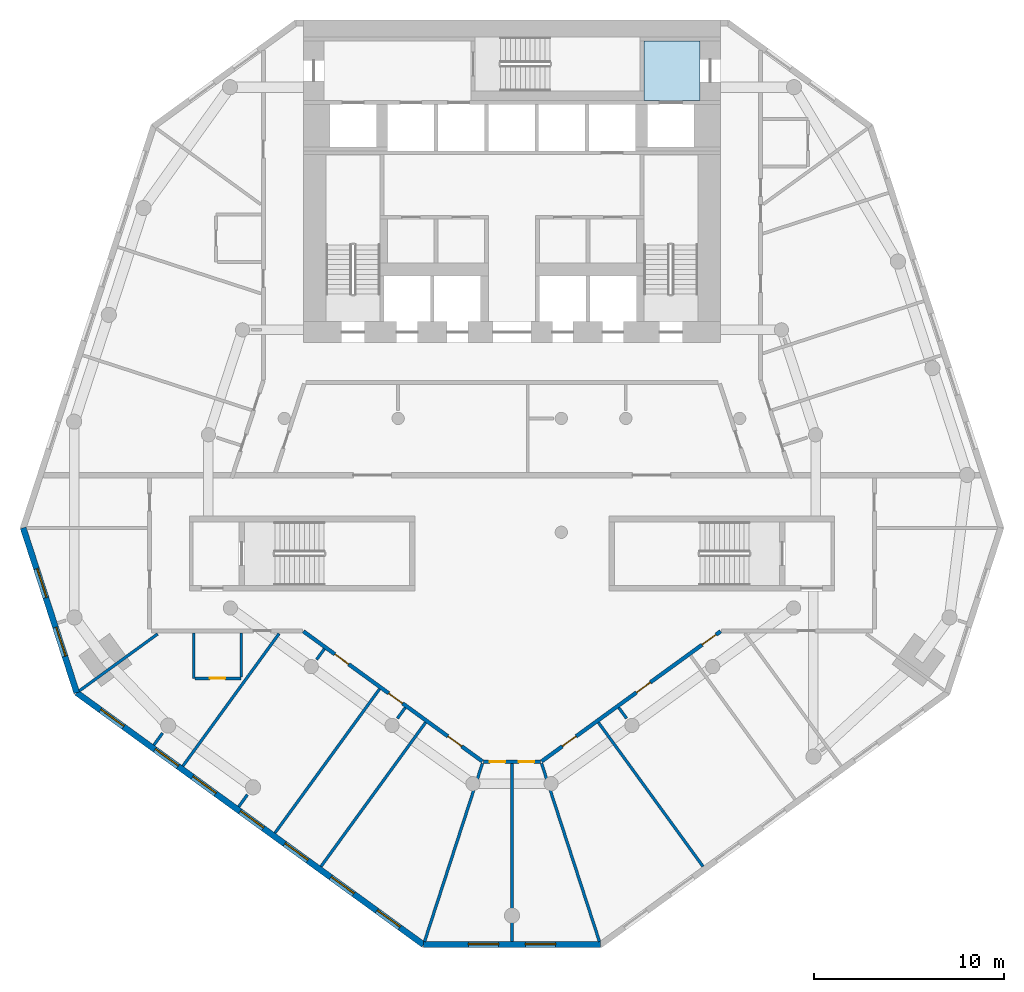
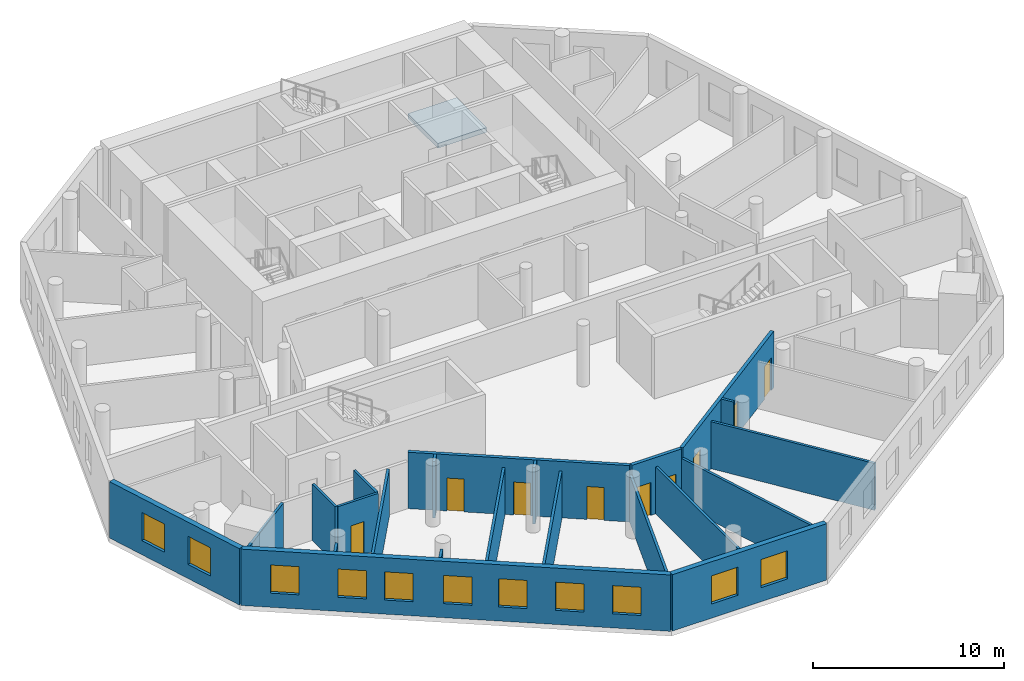
# One storey, part 2 of 9: 22 walls, 11 windows, 9 doors, 1 slab, 20 openings.
"""IFC4 building model written with IfcOpenShell, lengths in metres."""

from ifc_helpers import new_model, si_unit, direction, frame, frame_2d, origin, place, context, subcontext, project, spatial, polyline, rectangle, outline, extrude, material, layer, layer_set, type_object, element, fill, save


model = new_model("IFC4")

# Units and contexts
model_context = context("Model", 3, precision=1e-05, world=origin(), true_north=direction((0.0, 1.0)))
body_context = subcontext(model_context, "Body", "Model", "MODEL_VIEW")
ifc_project = project(units=[si_unit("LENGTHUNIT", "METRE"), si_unit("AREAUNIT", "SQUARE_METRE"), si_unit("VOLUMEUNIT", "CUBIC_METRE"), si_unit("PLANEANGLEUNIT", "RADIAN"), si_unit("MASSUNIT", "GRAM", prefix="KILO")], contexts=[model_context])

# Site, building, storey
site_placement = place(None, origin())
site = spatial("IfcSite", under=ifc_project, at=site_placement, CompositionType="ELEMENT")
building_placement = place(site_placement, origin())
building = spatial("IfcBuilding", under=site, at=building_placement, Name="White Candle Pilgrim Tower", CompositionType="ELEMENT")
storey_placement = place(building_placement, frame((0.0, 0.0, 94.699951171875)))
storey = spatial("IfcBuildingStorey", under=building, at=storey_placement, Name="L20", CompositionType="ELEMENT", Elevation=94.699951171875)

# Slab
ifc_material_1 = material(Name="Concrete C40/50", Category="concrete")
ifc_layer_1 = layer(ifc_material_1, 0.300048828125)
ifc_layer_set_1 = layer_set([ifc_layer_1], Name="Core floor slab 300 mm Concrete C40/50")
slab_type = type_object("IfcSlabType", Name="Core floor slab 300 mm Concrete C40/50", PredefinedType="FLOOR", material=ifc_layer_set_1)
slab_placement = place(storey_placement, frame((0.0, 0.0, -0.300048828125)))
element("IfcSlab", 1, at=slab_placement, inside=storey, type_object=slab_type, Name="CF-L20-06", PredefinedType="FLOOR", context=body_context, shape_type="SweptSolid", body=[
    extrude(outline(polyline([(79.89990234375, 86.89990234375), (79.89990234375, 83.75), (76.949951171875, 83.75), (76.949951171875, 84.25), (76.949951171875, 86.89990234375), (79.89990234375, 86.89990234375)])), origin(), (0.0, 0.0, 1.0), 0.300048828125),
])

# Wall, openings, doors
ifc_material_2 = material(Name="Gypsum board on steel studs", Category="steel")
ifc_layer_2 = layer(ifc_material_2, 0.199951171875)
ifc_layer_set_2 = layer_set([ifc_layer_2], Name="Corridor wall 200 mm EI 45")
wall_type_1 = type_object("IfcWallType", Name="Corridor wall 200 mm EI 45", PredefinedType="PARTITIONING", material=ifc_layer_set_2)
wall_1_placement = place(storey_placement, frame((80.9951171875, 55.781005859375, 0.0), z_axis=(0.0, 0.0, 1.0), x_axis=(-0.809008378027, -0.587797111495, 0.0)))
wall_1 = element("IfcWall", 2, at=wall_1_placement, inside=storey, type_object=wall_type_1, Name="WL-L20-P008", PredefinedType="PARTITIONING", context=body_context, shape_type="SweptSolid", body=[
    extrude(rectangle(XDim=11.666748046875, YDim=0.199951171875, at=frame_2d((5.83349609375, 0.0))), origin(), (0.0, 0.0, 1.0), 3.60009765625),
])
opening_1_placement = place(wall_1_placement, frame((9.41748046875, 0.0, 0.0)))
opening_1 = element("IfcOpeningElement", 3, at=opening_1_placement, cuts=wall_1, Name="Opening T06-110", PredefinedType="OPENING", context=body_context, shape_type="SweptSolid", body=[
    extrude(rectangle(XDim=0.89990234375, YDim=2.10009765625, at=frame_2d((0.449951171875, 1.050048828125))), frame((0.0, 0.10986328125, 0.0), z_axis=(0.0, -1.0, 0.0), x_axis=(1.0, 0.0, 0.0)), (0.0, 0.0, 1.0), 0.219970703125),
])
opening_2_placement = place(wall_1_placement, frame((4.58544921875, 0.0, 0.0)))
opening_2 = element("IfcOpeningElement", 4, at=opening_2_placement, cuts=wall_1, Name="Opening T06-111", PredefinedType="OPENING", context=body_context, shape_type="SweptSolid", body=[
    extrude(rectangle(XDim=0.89990234375, YDim=2.10009765625, at=frame_2d((0.449951171875, 1.050048828125))), frame((0.0, 0.10986328125, 0.0), z_axis=(0.0, -1.0, 0.0), x_axis=(1.0, 0.0, 0.0)), (0.0, 0.0, 1.0), 0.219970703125),
])
opening_3_placement = place(wall_1_placement, frame((0.301513671875, 0.0, 0.0)))
opening_3 = element("IfcOpeningElement", 5, at=opening_3_placement, cuts=wall_1, Name="Opening T06-112", PredefinedType="OPENING", context=body_context, shape_type="SweptSolid", body=[
    extrude(rectangle(XDim=0.89990234375, YDim=2.10009765625, at=frame_2d((0.449951171875, 1.050048828125))), frame((0.0, 0.10986328125, 0.0), z_axis=(0.0, -1.0, 0.0), x_axis=(1.0, 0.0, 0.0)), (0.0, 0.0, 1.0), 0.219970703125),
])
ifc_material_3 = material(Name="Steel door leaf", Category="steel")
door_type_1 = type_object("IfcDoorType", Name="Fire door 900 x 2100 EI 30", OperationType="NOTDEFINED", PredefinedType="DOOR", material=ifc_material_3)
door_1_placement = place(opening_1_placement, origin())
door_1 = element("IfcDoor", 6, at=door_1_placement, inside=storey, type_object=door_type_1, Name="Door T06-110", OperationType="SINGLE_SWING_RIGHT", OverallHeight=2.10009765625, OverallWidth=0.89990234375, PredefinedType="DOOR", context=body_context, shape_type="SweptSolid", body=[
    extrude(rectangle(XDim=0.89990234375, YDim=2.10009765625, at=frame_2d((0.449951171875, 1.050048828125))), frame((0.0, 0.02490234375, 0.0), z_axis=(0.0, -1.0, 0.0), x_axis=(1.0, 0.0, 0.0)), (0.0, 0.0, 1.0), 0.050048828125),
])
fill(opening_1, door_1)
door_2_placement = place(opening_2_placement, origin())
door_2 = element("IfcDoor", 7, at=door_2_placement, inside=storey, type_object=door_type_1, Name="Door T06-111", OperationType="SINGLE_SWING_LEFT", OverallHeight=2.10009765625, OverallWidth=0.89990234375, PredefinedType="DOOR", context=body_context, shape_type="SweptSolid", body=[
    extrude(rectangle(XDim=0.89990234375, YDim=2.10009765625, at=frame_2d((0.449951171875, 1.050048828125))), frame((0.0, 0.02490234375, 0.0), z_axis=(0.0, -1.0, 0.0), x_axis=(1.0, 0.0, 0.0)), (0.0, 0.0, 1.0), 0.050048828125),
])
fill(opening_2, door_2)
door_3_placement = place(opening_3_placement, origin())
door_3 = element("IfcDoor", 8, at=door_3_placement, inside=storey, type_object=door_type_1, Name="Door T06-112", OperationType="SINGLE_SWING_LEFT", OverallHeight=2.10009765625, OverallWidth=0.89990234375, PredefinedType="DOOR", context=body_context, shape_type="SweptSolid", body=[
    extrude(rectangle(XDim=0.89990234375, YDim=2.10009765625, at=frame_2d((0.449951171875, 1.050048828125))), frame((0.0, 0.02490234375, 0.0), z_axis=(0.0, -1.0, 0.0), x_axis=(1.0, 0.0, 0.0)), (0.0, 0.0, 1.0), 0.050048828125),
])
fill(opening_3, door_3)

wall_2_placement = place(storey_placement, frame((71.497802734375, 48.904296875, 0.0), z_axis=(0.0, 0.0, 1.0), x_axis=(-1.0, 0.0, 0.0)))
wall_2 = element("IfcWall", 9, at=wall_2_placement, inside=storey, type_object=wall_type_1, Name="WL-L20-P009", PredefinedType="PARTITIONING", context=body_context, shape_type="SweptSolid", body=[
    extrude(rectangle(XDim=2.99560546875, YDim=0.199951171875, at=frame_2d((1.497802734375, 0.0))), origin(), (0.0, 0.0, 1.0), 3.60009765625),
])
opening_4_placement = place(wall_2_placement, frame((1.863037109375, 0.0, 0.0)))
opening_4 = element("IfcOpeningElement", 10, at=opening_4_placement, cuts=wall_2, Name="Opening T06-108", PredefinedType="OPENING", context=body_context, shape_type="SweptSolid", body=[
    extrude(rectangle(XDim=0.800048828125, YDim=2.10009765625, at=frame_2d((0.39990234375, 1.050048828125))), frame((0.0, 0.10986328125, 0.0), z_axis=(0.0, -1.0, 0.0), x_axis=(1.0, 0.0, 0.0)), (0.0, 0.0, 1.0), 0.219970703125),
])
opening_5_placement = place(wall_2_placement, frame((0.33251953125, 0.0, 0.0)))
opening_5 = element("IfcOpeningElement", 11, at=opening_5_placement, cuts=wall_2, Name="Opening T06-109", PredefinedType="OPENING", context=body_context, shape_type="SweptSolid", body=[
    extrude(rectangle(XDim=0.800048828125, YDim=2.10009765625, at=frame_2d((0.39990234375, 1.050048828125))), frame((0.0, 0.10986328125, 0.0), z_axis=(0.0, -1.0, 0.0), x_axis=(1.0, 0.0, 0.0)), (0.0, 0.0, 1.0), 0.219970703125),
])
door_type_2 = type_object("IfcDoorType", Name="Fire door 800 x 2100 EI 30", OperationType="NOTDEFINED", PredefinedType="DOOR", material=ifc_material_3)
door_4_placement = place(opening_4_placement, origin())
door_4 = element("IfcDoor", 12, at=door_4_placement, inside=storey, type_object=door_type_2, Name="Door T06-108", OperationType="SINGLE_SWING_RIGHT", OverallHeight=2.10009765625, OverallWidth=0.800048828125, PredefinedType="DOOR", context=body_context, shape_type="SweptSolid", body=[
    extrude(rectangle(XDim=0.800048828125, YDim=2.10009765625, at=frame_2d((0.39990234375, 1.050048828125))), frame((0.0, 0.02490234375, 0.0), z_axis=(0.0, -1.0, 0.0), x_axis=(1.0, 0.0, 0.0)), (0.0, 0.0, 1.0), 0.050048828125),
])
fill(opening_4, door_4)
door_5_placement = place(opening_5_placement, origin())
door_5 = element("IfcDoor", 13, at=door_5_placement, inside=storey, type_object=door_type_2, Name="Door T06-109", OperationType="SINGLE_SWING_LEFT", OverallHeight=2.10009765625, OverallWidth=0.800048828125, PredefinedType="DOOR", context=body_context, shape_type="SweptSolid", body=[
    extrude(rectangle(XDim=0.800048828125, YDim=2.10009765625, at=frame_2d((0.39990234375, 1.050048828125))), frame((0.0, 0.02490234375, 0.0), z_axis=(0.0, -1.0, 0.0), x_axis=(1.0, 0.0, 0.0)), (0.0, 0.0, 1.0), 0.050048828125),
])
fill(opening_5, door_5)

wall_3_placement = place(storey_placement, frame((68.443359375, 48.92333984375, 0.0), z_axis=(0.0, 0.0, 1.0), x_axis=(-0.809008378027, 0.587797111495, 0.0)))
wall_3 = element("IfcWall", 14, at=wall_3_placement, inside=storey, type_object=wall_type_1, Name="WL-L20-P010", PredefinedType="PARTITIONING", context=body_context, shape_type="SweptSolid", body=[
    extrude(rectangle(XDim=11.666748046875, YDim=0.199951171875, at=frame_2d((5.83349609375, 0.0))), origin(), (0.0, 0.0, 1.0), 3.60009765625),
])
opening_6_placement = place(wall_3_placement, frame((8.715087890625, 0.0, 0.0)))
opening_6 = element("IfcOpeningElement", 15, at=opening_6_placement, cuts=wall_3, Name="Opening T06-105", PredefinedType="OPENING", context=body_context, shape_type="SweptSolid", body=[
    extrude(rectangle(XDim=0.89990234375, YDim=2.10009765625, at=frame_2d((0.449951171875, 1.050048828125))), frame((0.0, 0.10986328125, 0.0), z_axis=(0.0, -1.0, 0.0), x_axis=(1.0, 0.0, 0.0)), (0.0, 0.0, 1.0), 0.219970703125),
])
opening_7_placement = place(wall_3_placement, frame((5.206298828125, 0.0, 0.0)))
opening_7 = element("IfcOpeningElement", 16, at=opening_7_placement, cuts=wall_3, Name="Opening T06-106", PredefinedType="OPENING", context=body_context, shape_type="SweptSolid", body=[
    extrude(rectangle(XDim=0.89990234375, YDim=2.10009765625, at=frame_2d((0.449951171875, 1.050048828125))), frame((0.0, 0.10986328125, 0.0), z_axis=(0.0, -1.0, 0.0), x_axis=(1.0, 0.0, 0.0)), (0.0, 0.0, 1.0), 0.219970703125),
])
opening_8_placement = place(wall_3_placement, frame((1.349365234375, 0.0, 0.0)))
opening_8 = element("IfcOpeningElement", 17, at=opening_8_placement, cuts=wall_3, Name="Opening T06-107", PredefinedType="OPENING", context=body_context, shape_type="SweptSolid", body=[
    extrude(rectangle(XDim=0.89990234375, YDim=2.10009765625, at=frame_2d((0.449951171875, 1.050048828125))), frame((0.0, 0.10986328125, 0.0), z_axis=(0.0, -1.0, 0.0), x_axis=(1.0, 0.0, 0.0)), (0.0, 0.0, 1.0), 0.219970703125),
])
door_6_placement = place(opening_6_placement, origin())
door_6 = element("IfcDoor", 18, at=door_6_placement, inside=storey, type_object=door_type_1, Name="Door T06-105", OperationType="SINGLE_SWING_LEFT", OverallHeight=2.10009765625, OverallWidth=0.89990234375, PredefinedType="DOOR", context=body_context, shape_type="SweptSolid", body=[
    extrude(rectangle(XDim=0.89990234375, YDim=2.10009765625, at=frame_2d((0.449951171875, 1.050048828125))), frame((0.0, 0.02490234375, 0.0), z_axis=(0.0, -1.0, 0.0), x_axis=(1.0, 0.0, 0.0)), (0.0, 0.0, 1.0), 0.050048828125),
])
fill(opening_6, door_6)
door_7_placement = place(opening_7_placement, origin())
door_7 = element("IfcDoor", 19, at=door_7_placement, inside=storey, type_object=door_type_1, Name="Door T06-106", OperationType="SINGLE_SWING_RIGHT", OverallHeight=2.10009765625, OverallWidth=0.89990234375, PredefinedType="DOOR", context=body_context, shape_type="SweptSolid", body=[
    extrude(rectangle(XDim=0.89990234375, YDim=2.10009765625, at=frame_2d((0.449951171875, 1.050048828125))), frame((0.0, 0.02490234375, 0.0), z_axis=(0.0, -1.0, 0.0), x_axis=(1.0, 0.0, 0.0)), (0.0, 0.0, 1.0), 0.050048828125),
])
fill(opening_7, door_7)
door_8_placement = place(opening_8_placement, origin())
door_8 = element("IfcDoor", 20, at=door_8_placement, inside=storey, type_object=door_type_1, Name="Door T06-107", OperationType="SINGLE_SWING_LEFT", OverallHeight=2.10009765625, OverallWidth=0.89990234375, PredefinedType="DOOR", context=body_context, shape_type="SweptSolid", body=[
    extrude(rectangle(XDim=0.89990234375, YDim=2.10009765625, at=frame_2d((0.449951171875, 1.050048828125))), frame((0.0, 0.02490234375, 0.0), z_axis=(0.0, -1.0, 0.0), x_axis=(1.0, 0.0, 0.0)), (0.0, 0.0, 1.0), 0.050048828125),
])
fill(opening_8, door_8)

# Wall, openings, windows
ifc_material_4 = material(Name="Precast concrete C40/50", Category="concrete")
ifc_layer_3 = layer(ifc_material_4, 0.320068359375)
ifc_layer_set_3 = layer_set([ifc_layer_3], Name="Facade wall EW1 precast concrete C40/50 pier wall with timber-lined reveals")
wall_type_2 = type_object("IfcWallType", Name="Facade wall EW1 precast concrete C40/50 pier wall with timber-lined reveals", PredefinedType="SOLIDWALL", material=ifc_layer_set_3)
wall_4_placement = place(storey_placement, frame((44.237548828125, 61.230712890625, 0.0), z_axis=(0.0, 0.0, 1.0), x_axis=(0.309026240246, -0.95105351208, 0.0)))
wall_4 = element("IfcWall", 21, at=wall_4_placement, inside=storey, type_object=wall_type_2, Name="Facade wall L20 W chamfer", PredefinedType="SOLIDWALL", context=body_context, shape_type="SweptSolid", body=[
    extrude(rectangle(XDim=9.13427734375, YDim=0.320068359375, at=frame_2d((4.567138671875, 0.0))), origin(), (0.0, 0.0, 1.0), 3.60009765625),
])
opening_9_placement = place(wall_4_placement, frame((2.26708984375, 0.0, 0.89990234375)))
opening_9 = element("IfcOpeningElement", 22, at=opening_9_placement, cuts=wall_4, Name="Opening W2", PredefinedType="OPENING", context=body_context, shape_type="SweptSolid", body=[
    extrude(rectangle(XDim=1.60009765625, YDim=1.800048828125, at=frame_2d((0.800048828125, 0.89990234375))), frame((0.0, 0.169921875, 0.0), z_axis=(0.0, -1.0, 0.0), x_axis=(1.0, 0.0, 0.0)), (0.0, 0.0, 1.0), 0.340087890625),
])
opening_10_placement = place(wall_4_placement, frame((5.51708984375, 0.0, 0.89990234375)))
opening_10 = element("IfcOpeningElement", 23, at=opening_10_placement, cuts=wall_4, Name="Opening W2", PredefinedType="OPENING", context=body_context, shape_type="SweptSolid", body=[
    extrude(rectangle(XDim=1.60009765625, YDim=1.800048828125, at=frame_2d((0.800048828125, 0.89990234375))), frame((0.0, 0.169921875, 0.0), z_axis=(0.0, -1.0, 0.0), x_axis=(1.0, 0.0, 0.0)), (0.0, 0.0, 1.0), 0.340087890625),
])
ifc_material_5 = material(Name="Timber frame with triple glazing", Category="wood")
window_type_1 = type_object("IfcWindowType", Name="Window W2 1600x1800 timber frame triple glazing", PartitioningType="SINGLE_PANEL", PredefinedType="WINDOW", material=ifc_material_5)
window_1_placement = place(opening_9_placement, origin())
window_1 = element("IfcWindow", 24, at=window_1_placement, inside=storey, type_object=window_type_1, Name="Window W2 L20 W chamfer 1", OverallHeight=1.800048828125, OverallWidth=1.60009765625, PartitioningType="SINGLE_PANEL", PredefinedType="WINDOW", context=body_context, shape_type="SweptSolid", body=[
    extrude(rectangle(XDim=1.60009765625, YDim=1.800048828125, at=frame_2d((0.800048828125, 0.89990234375))), frame((0.0, 0.070068359375, 0.0), z_axis=(0.0, -1.0, 0.0), x_axis=(1.0, 0.0, 0.0)), (0.0, 0.0, 1.0), 0.06005859375),
])
fill(opening_9, window_1)
window_2_placement = place(opening_10_placement, origin())
window_2 = element("IfcWindow", 25, at=window_2_placement, inside=storey, type_object=window_type_1, Name="Window W2 L20 W chamfer 2", OverallHeight=1.800048828125, OverallWidth=1.60009765625, PartitioningType="SINGLE_PANEL", PredefinedType="WINDOW", context=body_context, shape_type="SweptSolid", body=[
    extrude(rectangle(XDim=1.60009765625, YDim=1.800048828125, at=frame_2d((0.800048828125, 0.89990234375))), frame((0.0, 0.070068359375, 0.0), z_axis=(0.0, -1.0, 0.0), x_axis=(1.0, 0.0, 0.0)), (0.0, 0.0, 1.0), 0.06005859375),
])
fill(opening_10, window_2)

wall_5_placement = place(storey_placement, frame((47.060302734375, 52.54345703125, 0.0), z_axis=(0.0, 0.0, 1.0), x_axis=(0.809012643171, -0.587791241165, 0.0)))
wall_5 = element("IfcWall", 26, at=wall_5_placement, inside=storey, type_object=wall_type_2, Name="Facade wall L20 SW", PredefinedType="SOLIDWALL", context=body_context, shape_type="SweptSolid", body=[
    extrude(rectangle(XDim=22.591796875, YDim=0.320068359375, at=frame_2d((11.2958984375, 0.0))), origin(), (0.0, 0.0, 1.0), 3.60009765625),
])
opening_11_placement = place(wall_5_placement, frame((1.5458984375, 0.0, 0.89990234375)))
opening_11 = element("IfcOpeningElement", 27, at=opening_11_placement, cuts=wall_5, Name="Opening W1", PredefinedType="OPENING", context=body_context, shape_type="SweptSolid", body=[
    extrude(rectangle(XDim=1.5, YDim=1.800048828125, at=frame_2d((0.75, 0.89990234375))), frame((0.0, 0.169921875, 0.0), z_axis=(0.0, -1.0, 0.0), x_axis=(1.0, 0.0, 0.0)), (0.0, 0.0, 1.0), 0.340087890625),
])
opening_12_placement = place(wall_5_placement, frame((5.095947265625, 0.0, 0.89990234375)))
opening_12 = element("IfcOpeningElement", 28, at=opening_12_placement, cuts=wall_5, Name="Opening W1", PredefinedType="OPENING", context=body_context, shape_type="SweptSolid", body=[
    extrude(rectangle(XDim=1.5, YDim=1.800048828125, at=frame_2d((0.75, 0.89990234375))), frame((0.0, 0.169921875, 0.0), z_axis=(0.0, -1.0, 0.0), x_axis=(1.0, 0.0, 0.0)), (0.0, 0.0, 1.0), 0.340087890625),
])
opening_13_placement = place(wall_5_placement, frame((7.5458984375, 0.0, 0.89990234375)))
opening_13 = element("IfcOpeningElement", 29, at=opening_13_placement, cuts=wall_5, Name="Opening W1", PredefinedType="OPENING", context=body_context, shape_type="SweptSolid", body=[
    extrude(rectangle(XDim=1.5, YDim=1.800048828125, at=frame_2d((0.75, 0.89990234375))), frame((0.0, 0.169921875, 0.0), z_axis=(0.0, -1.0, 0.0), x_axis=(1.0, 0.0, 0.0)), (0.0, 0.0, 1.0), 0.340087890625),
])
opening_14_placement = place(wall_5_placement, frame((10.64599609375, 0.0, 0.89990234375)))
opening_14 = element("IfcOpeningElement", 30, at=opening_14_placement, cuts=wall_5, Name="Opening W1", PredefinedType="OPENING", context=body_context, shape_type="SweptSolid", body=[
    extrude(rectangle(XDim=1.5, YDim=1.800048828125, at=frame_2d((0.75, 0.89990234375))), frame((0.0, 0.169921875, 0.0), z_axis=(0.0, -1.0, 0.0), x_axis=(1.0, 0.0, 0.0)), (0.0, 0.0, 1.0), 0.340087890625),
])
opening_15_placement = place(wall_5_placement, frame((13.5458984375, 0.0, 0.89990234375)))
opening_15 = element("IfcOpeningElement", 31, at=opening_15_placement, cuts=wall_5, Name="Opening W1", PredefinedType="OPENING", context=body_context, shape_type="SweptSolid", body=[
    extrude(rectangle(XDim=1.5, YDim=1.800048828125, at=frame_2d((0.75, 0.89990234375))), frame((0.0, 0.169921875, 0.0), z_axis=(0.0, -1.0, 0.0), x_axis=(1.0, 0.0, 0.0)), (0.0, 0.0, 1.0), 0.340087890625),
])
opening_16_placement = place(wall_5_placement, frame((16.5458984375, 0.0, 0.89990234375)))
opening_16 = element("IfcOpeningElement", 32, at=opening_16_placement, cuts=wall_5, Name="Opening W1", PredefinedType="OPENING", context=body_context, shape_type="SweptSolid", body=[
    extrude(rectangle(XDim=1.5, YDim=1.800048828125, at=frame_2d((0.75, 0.89990234375))), frame((0.0, 0.169921875, 0.0), z_axis=(0.0, -1.0, 0.0), x_axis=(1.0, 0.0, 0.0)), (0.0, 0.0, 1.0), 0.340087890625),
])
opening_17_placement = place(wall_5_placement, frame((19.5458984375, 0.0, 0.89990234375)))
opening_17 = element("IfcOpeningElement", 33, at=opening_17_placement, cuts=wall_5, Name="Opening W1", PredefinedType="OPENING", context=body_context, shape_type="SweptSolid", body=[
    extrude(rectangle(XDim=1.5, YDim=1.800048828125, at=frame_2d((0.75, 0.89990234375))), frame((0.0, 0.169921875, 0.0), z_axis=(0.0, -1.0, 0.0), x_axis=(1.0, 0.0, 0.0)), (0.0, 0.0, 1.0), 0.340087890625),
])
window_type_2 = type_object("IfcWindowType", Name="Window W1 1500x1800 timber frame triple glazing", PartitioningType="SINGLE_PANEL", PredefinedType="WINDOW", material=ifc_material_5)
window_3_placement = place(opening_11_placement, origin())
window_3 = element("IfcWindow", 34, at=window_3_placement, inside=storey, type_object=window_type_2, Name="Window W1 L20 SW 1", OverallHeight=1.800048828125, OverallWidth=1.5, PartitioningType="SINGLE_PANEL", PredefinedType="WINDOW", context=body_context, shape_type="SweptSolid", body=[
    extrude(rectangle(XDim=1.5, YDim=1.800048828125, at=frame_2d((0.75, 0.89990234375))), frame((0.0, 0.070068359375, 0.0), z_axis=(0.0, -1.0, 0.0), x_axis=(1.0, 0.0, 0.0)), (0.0, 0.0, 1.0), 0.06005859375),
])
fill(opening_11, window_3)
window_4_placement = place(opening_12_placement, origin())
window_4 = element("IfcWindow", 35, at=window_4_placement, inside=storey, type_object=window_type_2, Name="Window W1 L20 SW 2", OverallHeight=1.800048828125, OverallWidth=1.5, PartitioningType="SINGLE_PANEL", PredefinedType="WINDOW", context=body_context, shape_type="SweptSolid", body=[
    extrude(rectangle(XDim=1.5, YDim=1.800048828125, at=frame_2d((0.75, 0.89990234375))), frame((0.0, 0.070068359375, 0.0), z_axis=(0.0, -1.0, 0.0), x_axis=(1.0, 0.0, 0.0)), (0.0, 0.0, 1.0), 0.06005859375),
])
fill(opening_12, window_4)
window_5_placement = place(opening_13_placement, origin())
window_5 = element("IfcWindow", 36, at=window_5_placement, inside=storey, type_object=window_type_2, Name="Window W1 L20 SW 3", OverallHeight=1.800048828125, OverallWidth=1.5, PartitioningType="SINGLE_PANEL", PredefinedType="WINDOW", context=body_context, shape_type="SweptSolid", body=[
    extrude(rectangle(XDim=1.5, YDim=1.800048828125, at=frame_2d((0.75, 0.89990234375))), frame((0.0, 0.070068359375, 0.0), z_axis=(0.0, -1.0, 0.0), x_axis=(1.0, 0.0, 0.0)), (0.0, 0.0, 1.0), 0.06005859375),
])
fill(opening_13, window_5)
window_6_placement = place(opening_14_placement, origin())
window_6 = element("IfcWindow", 37, at=window_6_placement, inside=storey, type_object=window_type_2, Name="Window W1 L20 SW 4", OverallHeight=1.800048828125, OverallWidth=1.5, PartitioningType="SINGLE_PANEL", PredefinedType="WINDOW", context=body_context, shape_type="SweptSolid", body=[
    extrude(rectangle(XDim=1.5, YDim=1.800048828125, at=frame_2d((0.75, 0.89990234375))), frame((0.0, 0.070068359375, 0.0), z_axis=(0.0, -1.0, 0.0), x_axis=(1.0, 0.0, 0.0)), (0.0, 0.0, 1.0), 0.06005859375),
])
fill(opening_14, window_6)
window_7_placement = place(opening_15_placement, origin())
window_7 = element("IfcWindow", 38, at=window_7_placement, inside=storey, type_object=window_type_2, Name="Window W1 L20 SW 5", OverallHeight=1.800048828125, OverallWidth=1.5, PartitioningType="SINGLE_PANEL", PredefinedType="WINDOW", context=body_context, shape_type="SweptSolid", body=[
    extrude(rectangle(XDim=1.5, YDim=1.800048828125, at=frame_2d((0.75, 0.89990234375))), frame((0.0, 0.070068359375, 0.0), z_axis=(0.0, -1.0, 0.0), x_axis=(1.0, 0.0, 0.0)), (0.0, 0.0, 1.0), 0.06005859375),
])
fill(opening_15, window_7)
window_8_placement = place(opening_16_placement, origin())
window_8 = element("IfcWindow", 39, at=window_8_placement, inside=storey, type_object=window_type_2, Name="Window W1 L20 SW 6", OverallHeight=1.800048828125, OverallWidth=1.5, PartitioningType="SINGLE_PANEL", PredefinedType="WINDOW", context=body_context, shape_type="SweptSolid", body=[
    extrude(rectangle(XDim=1.5, YDim=1.800048828125, at=frame_2d((0.75, 0.89990234375))), frame((0.0, 0.070068359375, 0.0), z_axis=(0.0, -1.0, 0.0), x_axis=(1.0, 0.0, 0.0)), (0.0, 0.0, 1.0), 0.06005859375),
])
fill(opening_16, window_8)
window_9_placement = place(opening_17_placement, origin())
window_9 = element("IfcWindow", 40, at=window_9_placement, inside=storey, type_object=window_type_2, Name="Window W1 L20 SW 7", OverallHeight=1.800048828125, OverallWidth=1.5, PartitioningType="SINGLE_PANEL", PredefinedType="WINDOW", context=body_context, shape_type="SweptSolid", body=[
    extrude(rectangle(XDim=1.5, YDim=1.800048828125, at=frame_2d((0.75, 0.89990234375))), frame((0.0, 0.070068359375, 0.0), z_axis=(0.0, -1.0, 0.0), x_axis=(1.0, 0.0, 0.0)), (0.0, 0.0, 1.0), 0.06005859375),
])
fill(opening_17, window_9)

wall_6_placement = place(storey_placement, frame((65.33740234375, 39.26416015625, 0.0), z_axis=(0.0, 0.0, 1.0), x_axis=(1.0, 0.0, 0.0)))
wall_6 = element("IfcWall", 41, at=wall_6_placement, inside=storey, type_object=wall_type_2, Name="Facade wall L20 S chamfer", PredefinedType="SOLIDWALL", context=body_context, shape_type="SweptSolid", body=[
    extrude(rectangle(XDim=9.3251953125, YDim=0.320068359375, at=frame_2d((4.66259765625, 0.0))), origin(), (0.0, 0.0, 1.0), 3.60009765625),
])
opening_18_placement = place(wall_6_placement, frame((2.362548828125, 0.0, 0.89990234375)))
opening_18 = element("IfcOpeningElement", 42, at=opening_18_placement, cuts=wall_6, Name="Opening W2", PredefinedType="OPENING", context=body_context, shape_type="SweptSolid", body=[
    extrude(rectangle(XDim=1.60009765625, YDim=1.800048828125, at=frame_2d((0.800048828125, 0.89990234375))), frame((0.0, 0.169921875, 0.0), z_axis=(0.0, -1.0, 0.0), x_axis=(1.0, 0.0, 0.0)), (0.0, 0.0, 1.0), 0.340087890625),
])
opening_19_placement = place(wall_6_placement, frame((5.362548828125, 0.0, 0.89990234375)))
opening_19 = element("IfcOpeningElement", 43, at=opening_19_placement, cuts=wall_6, Name="Opening W2", PredefinedType="OPENING", context=body_context, shape_type="SweptSolid", body=[
    extrude(rectangle(XDim=1.60009765625, YDim=1.800048828125, at=frame_2d((0.800048828125, 0.89990234375))), frame((0.0, 0.169921875, 0.0), z_axis=(0.0, -1.0, 0.0), x_axis=(1.0, 0.0, 0.0)), (0.0, 0.0, 1.0), 0.340087890625),
])
window_10_placement = place(opening_18_placement, origin())
window_10 = element("IfcWindow", 44, at=window_10_placement, inside=storey, type_object=window_type_1, Name="Window W2 L20 S chamfer 1", OverallHeight=1.800048828125, OverallWidth=1.60009765625, PartitioningType="SINGLE_PANEL", PredefinedType="WINDOW", context=body_context, shape_type="SweptSolid", body=[
    extrude(rectangle(XDim=1.60009765625, YDim=1.800048828125, at=frame_2d((0.800048828125, 0.89990234375))), frame((0.0, 0.070068359375, 0.0), z_axis=(0.0, -1.0, 0.0), x_axis=(1.0, 0.0, 0.0)), (0.0, 0.0, 1.0), 0.06005859375),
])
fill(opening_18, window_10)
window_11_placement = place(opening_19_placement, origin())
window_11 = element("IfcWindow", 45, at=window_11_placement, inside=storey, type_object=window_type_1, Name="Window W2 L20 S chamfer 2", OverallHeight=1.800048828125, OverallWidth=1.60009765625, PartitioningType="SINGLE_PANEL", PredefinedType="WINDOW", context=body_context, shape_type="SweptSolid", body=[
    extrude(rectangle(XDim=1.60009765625, YDim=1.800048828125, at=frame_2d((0.800048828125, 0.89990234375))), frame((0.0, 0.070068359375, 0.0), z_axis=(0.0, -1.0, 0.0), x_axis=(1.0, 0.0, 0.0)), (0.0, 0.0, 1.0), 0.06005859375),
])
fill(opening_19, window_11)

# Walls
ifc_layer_4 = layer(ifc_material_2, 0.14990234375)
ifc_layer_set_4 = layer_set([ifc_layer_4], Name="Partition 150 mm EI 60")
wall_type_3 = type_object("IfcWallType", Name="Partition 150 mm EI 60", PredefinedType="PARTITIONING", material=ifc_layer_set_4)
wall_7_placement = place(storey_placement, frame((47.1962890625, 52.642333984375, 0.0), z_axis=(0.0, 0.0, 1.0), x_axis=(0.809009310944, 0.587795827483, 0.0)))
element("IfcWall", 46, at=wall_7_placement, inside=storey, type_object=wall_type_3, Name="WL-L20-P018", PredefinedType="PARTITIONING", context=body_context, shape_type="SweptSolid", body=[
    extrude(rectangle(XDim=5.098876953125, YDim=0.14990234375, at=frame_2d((2.54931640625, 0.0))), origin(), (0.0, 0.0, 1.0), 3.10009765625),
])
for number, where, z_axis, x_axis, name in (
    (47, (65.389404296875, 39.42431640625, 0.0), (0.0, 0.0, 1.0), (0.309015131176, 0.951057121683, 0.0), "WL-L20-P019"),
    (48, (74.610595703125, 39.42431640625, 0.0), (0.0, 0.0, 1.0), (-0.309015131176, 0.951057121683, 0.0), "WL-L20-P020"),
):
    element("IfcWall", number, at=place(storey_placement, frame(where, z_axis=z_axis, x_axis=x_axis)), inside=storey, type_object=wall_type_3, Name=name, PredefinedType="PARTITIONING", context=body_context, shape_type="SweptSolid", body=[
        extrude(rectangle(XDim=9.8828125, YDim=0.14990234375, at=frame_2d((4.94140625, 0.0))), origin(), (0.0, 0.0, 1.0), 3.0),
    ])
wall_8_placement = place(storey_placement, frame((52.65234375, 48.678466796875, 0.0), z_axis=(0.0, 0.0, 1.0), x_axis=(0.587774405354, 0.809024875026, 0.0)))
element("IfcWall", 49, at=wall_8_placement, inside=storey, type_object=wall_type_3, Name="WL-L20-P029", PredefinedType="PARTITIONING", context=body_context, shape_type="SweptSolid", body=[
    extrude(rectangle(XDim=8.62451171875, YDim=0.14990234375, at=frame_2d((4.312255859375, 0.0))), origin(), (0.0, 0.0, 1.0), 3.0),
])
for number, where, z_axis, x_axis, name in (
    (50, (57.50634765625, 45.151611328125, 0.0), (0.0, 0.0, 1.0), (0.587783184234, 0.809018496903, 0.0), "WL-L20-P030"),
    (51, (59.933349609375, 43.38818359375, 0.0), (0.0, 0.0, 1.0), (0.587800219247, 0.809006120034, 0.0), "WL-L20-P031"),
):
    element("IfcWall", number, at=place(storey_placement, frame(where, z_axis=z_axis, x_axis=x_axis)), inside=storey, type_object=wall_type_3, Name=name, PredefinedType="PARTITIONING", context=body_context, shape_type="SweptSolid", body=[
        extrude(rectangle(XDim=9.380126953125, YDim=0.14990234375, at=frame_2d((4.68994140625, 0.0))), origin(), (0.0, 0.0, 1.0), 3.0),
    ])
wall_9_placement = place(storey_placement, frame((53.2265625, 55.699951171875, 0.0), z_axis=(0.0, 0.0, 1.0), x_axis=(0.0, -1.0, 0.0)))
element("IfcWall", 52, at=wall_9_placement, inside=storey, type_object=wall_type_3, Name="WL-L20-P032", PredefinedType="PARTITIONING", context=body_context, shape_type="SweptSolid", body=[
    extrude(rectangle(XDim=2.39990234375, YDim=0.14990234375, at=frame_2d((1.199951171875, 0.0))), origin(), (0.0, 0.0, 1.0), 3.60009765625),
])

# Wall, opening, door
wall_10_placement = place(storey_placement, frame((55.7265625, 53.300048828125, 0.0), z_axis=(0.0, 0.0, 1.0), x_axis=(-1.0, 0.0, 0.0)))
wall_10 = element("IfcWall", 53, at=wall_10_placement, inside=storey, type_object=wall_type_3, Name="WL-L20-P033", PredefinedType="PARTITIONING", context=body_context, shape_type="SweptSolid", body=[
    extrude(rectangle(XDim=2.425048828125, YDim=0.14990234375, at=frame_2d((1.21240234375, 0.0))), origin(), (0.0, 0.0, 1.0), 3.60009765625),
])
opening_20_placement = place(wall_10_placement, frame((0.85009765625, 0.0, 0.0)))
opening_20 = element("IfcOpeningElement", 54, at=opening_20_placement, cuts=wall_10, Name="Opening T06-103", PredefinedType="OPENING", context=body_context, shape_type="SweptSolid", body=[
    extrude(rectangle(XDim=0.800048828125, YDim=2.10009765625, at=frame_2d((0.39990234375, 1.050048828125))), frame((0.0, 0.0849609375, 0.0), z_axis=(0.0, -1.0, 0.0), x_axis=(1.0, 0.0, 0.0)), (0.0, 0.0, 1.0), 0.169921875),
])
door_9_placement = place(opening_20_placement, origin())
door_9 = element("IfcDoor", 55, at=door_9_placement, inside=storey, type_object=door_type_2, Name="Door T06-103", OperationType="SINGLE_SWING_LEFT", OverallHeight=2.10009765625, OverallWidth=0.800048828125, PredefinedType="DOOR", context=body_context, shape_type="SweptSolid", body=[
    extrude(rectangle(XDim=0.800048828125, YDim=2.10009765625, at=frame_2d((0.39990234375, 1.050048828125))), frame((0.0, 0.02490234375, 0.0), z_axis=(0.0, -1.0, 0.0), x_axis=(1.0, 0.0, 0.0)), (0.0, 0.0, 1.0), 0.050048828125),
])
fill(opening_20, door_9)

# Walls
wall_11_placement = place(storey_placement, frame((55.7265625, 55.699951171875, 0.0), z_axis=(0.0, 0.0, 1.0), x_axis=(0.0, -1.0, 0.0)))
element("IfcWall", 56, at=wall_11_placement, inside=storey, type_object=wall_type_3, Name="WL-L20-P034", PredefinedType="PARTITIONING", context=body_context, shape_type="SweptSolid", body=[
    extrude(rectangle(XDim=2.324951171875, YDim=0.14990234375, at=frame_2d((1.16259765625, 0.0))), origin(), (0.0, 0.0, 1.0), 3.60009765625),
])
wall_12_placement = place(storey_placement, frame((70.0, 39.42431640625, 0.0), z_axis=(0.0, 0.0, 1.0), x_axis=(0.0, 1.0, 0.0)))
element("IfcWall", 57, at=wall_12_placement, inside=storey, type_object=wall_type_3, Name="WL-L20-P035", PredefinedType="PARTITIONING", context=body_context, shape_type="SweptSolid", body=[
    extrude(rectangle(XDim=9.3798828125, YDim=0.14990234375, at=frame_2d((4.68994140625, 0.0))), origin(), (0.0, 0.0, 1.0), 3.0),
])
wall_13_placement = place(storey_placement, frame((80.066650390625, 43.38818359375, 0.0), z_axis=(0.0, 0.0, 1.0), x_axis=(-0.587800219247, 0.809006120034, 0.0)))
element("IfcWall", 58, at=wall_13_placement, inside=storey, type_object=wall_type_3, Name="WL-L20-P036", PredefinedType="PARTITIONING", context=body_context, shape_type="SweptSolid", body=[
    extrude(rectangle(XDim=9.380126953125, YDim=0.14990234375, at=frame_2d((4.68994140625, 0.0))), origin(), (0.0, 0.0, 1.0), 3.0),
])
wall_14_placement = place(storey_placement, frame((51.583984375, 50.419677734375, 0.0), z_axis=(0.0, 0.0, 1.0), x_axis=(-0.587874171241, -0.808952383511, 0.0)))
element("IfcWall", 59, at=wall_14_placement, inside=storey, type_object=wall_type_3, Name="WL-L20-P047", PredefinedType="PARTITIONING", context=body_context, shape_type="SweptSolid", body=[
    extrude(rectangle(XDim=0.78076171875, YDim=0.14990234375, at=frame_2d((0.390380859375, 0.0))), origin(), (0.0, 0.0, 1.0), 3.60009765625),
])
wall_15_placement = place(storey_placement, frame((56.053955078125, 47.169677734375, 0.0), z_axis=(0.0, 0.0, 1.0), x_axis=(-0.587742933354, -0.809047739193, 0.0)))
element("IfcWall", 60, at=wall_15_placement, inside=storey, type_object=wall_type_3, Name="WL-L20-P048", PredefinedType="PARTITIONING", context=body_context, shape_type="SweptSolid", body=[
    extrude(rectangle(XDim=0.77880859375, YDim=0.14990234375, at=frame_2d((0.389404296875, 0.0))), origin(), (0.0, 0.0, 1.0), 3.60009765625),
])
wall_16_placement = place(storey_placement, frame((59.70068359375, 54.29052734375, 0.0), z_axis=(0.0, 0.0, 1.0), x_axis=(0.588046667034, 0.808827000903, 0.0)))
element("IfcWall", 61, at=wall_16_placement, inside=storey, type_object=wall_type_3, Name="WL-L20-P051", PredefinedType="PARTITIONING", context=body_context, shape_type="SweptSolid", body=[
    extrude(rectangle(XDim=0.69677734375, YDim=0.14990234375, at=frame_2d((0.348388671875, 0.0))), origin(), (0.0, 0.0, 1.0), 3.60009765625),
])
for number, where, z_axis, x_axis, name in (
    (62, (63.960693359375, 51.190673828125, 0.0), (0.0, 0.0, 1.0), (0.587943727081, 0.808901831983, 0.0), "WL-L20-P052"),
    (63, (76.039306640625, 51.190673828125, 0.0), (0.0, 0.0, 1.0), (-0.587943727081, 0.808901831983, 0.0), "WL-L20-P053"),
):
    element("IfcWall", number, at=place(storey_placement, frame(where, z_axis=z_axis, x_axis=x_axis)), inside=storey, type_object=wall_type_3, Name=name, PredefinedType="PARTITIONING", context=body_context, shape_type="SweptSolid", body=[
        extrude(rectangle(XDim=0.700439453125, YDim=0.14990234375, at=frame_2d((0.35009765625, 0.0))), origin(), (0.0, 0.0, 1.0), 3.60009765625),
    ])

save(model, "model.ifc")
